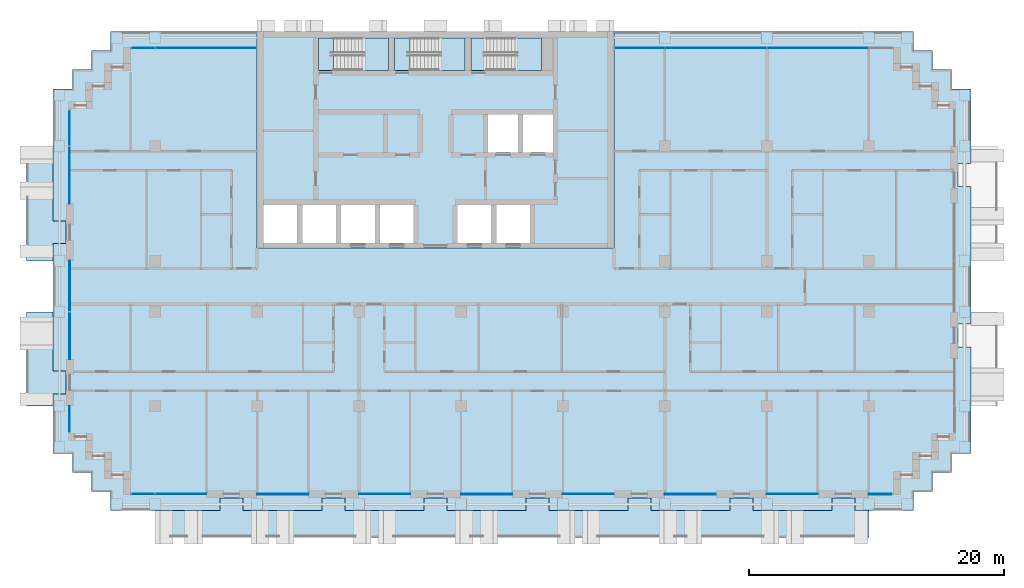
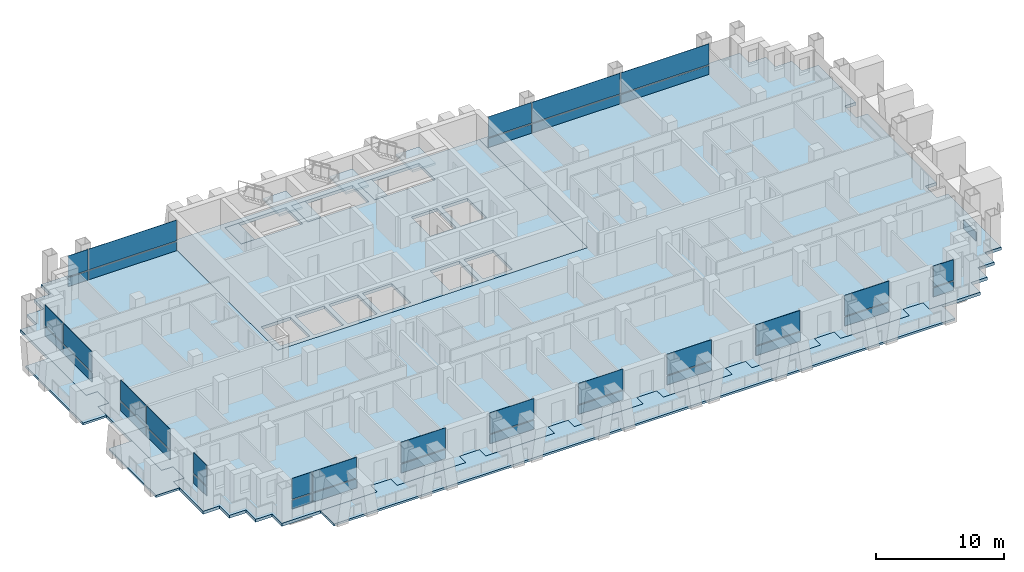
# One storey, part 7 of 19: 39 plates, 11 slabs, 17 elements without a shape of their own.
"""IFC4 building model written with IfcOpenShell, lengths in metres."""

from ifc_helpers import new_model, si_unit, direction, frame, origin, origin_2d, place, context, subcontext, project, spatial, polyline, rectangle, outline, extrude, material, layer, layer_set, type_object, element, aggregate, save


model = new_model("IFC4")

# Units and contexts
model_context = context("Model", 3, precision=1e-05, world=origin(), true_north=direction((0.0, 1.0)))
body_context = subcontext(model_context, "Body", "Model", "MODEL_VIEW")
ifc_project = project(units=[si_unit("LENGTHUNIT", "METRE"), si_unit("AREAUNIT", "SQUARE_METRE"), si_unit("VOLUMEUNIT", "CUBIC_METRE"), si_unit("PLANEANGLEUNIT", "RADIAN"), si_unit("MASSUNIT", "GRAM", prefix="KILO")], contexts=[model_context])

# Site, building, storey
site_placement = place(None, origin())
site = spatial("IfcSite", under=ifc_project, at=site_placement, CompositionType="ELEMENT")
building_placement = place(site_placement, origin())
building = spatial("IfcBuilding", under=site, at=building_placement, Name="Vidyagriha Tower", CompositionType="ELEMENT")
storey_placement = place(building_placement, frame((0.0, 0.0, 99.89990234375)))
storey = spatial("IfcBuildingStorey", under=building, at=storey_placement, Name="L26", CompositionType="ELEMENT", Elevation=99.89990234375)

# Curtain wall, plate
ifc_material_1 = material(Name="Aluminium and glass curtain wall", Category="aluminium")
curtain_wall_type = type_object("IfcCurtainWallType", Name="Dwelling skin unitised curtain wall", PredefinedType="USERDEFINED", material=ifc_material_1)
curtain_wall_1_placement = place(storey_placement, origin())
curtain_wall_1 = element("IfcCurtainWall", 1, at=curtain_wall_1_placement, inside=storey, type_object=curtain_wall_type, Name="CW1 dwelling skin", ObjectType="UNITISED", PredefinedType="USERDEFINED")
ifc_material_2 = material(Name="Glass dark ceramic-fritted spandrel", Category="glass")
ifc_layer_1 = layer(ifc_material_2, 0.0400390625)
ifc_layer_set_1 = layer_set([ifc_layer_1], Name="Glass dark ceramic-fritted spandrel")
plate_type_1 = type_object("IfcPlateType", Name="Ceramic-fritted spandrel panel", PredefinedType="CURTAIN_PANEL", material=ifc_layer_set_1)
plate_1_placement = place(storey_placement, frame((22.0, 18.699951171875, 0.0), z_axis=(0.0, 0.0, 1.0), x_axis=(-1.0, 0.0, 0.0)))
plate_1 = element("IfcPlate", 2, at=plate_1_placement, type_object=plate_type_1, Name="CW1 panel 3.1", PredefinedType="CURTAIN_PANEL", context=body_context, shape_type="SweptSolid", body=[
    extrude(rectangle(XDim=7.929931640625, YDim=0.0400390625, at=origin_2d()), origin(), (0.0, 0.0, 1.0), 0.85009765625),
])

curtain_wall_2_placement = place(storey_placement, origin())
curtain_wall_2 = element("IfcCurtainWall", 3, at=curtain_wall_2_placement, inside=storey, type_object=curtain_wall_type, Name="CW1 dwelling skin", ObjectType="UNITISED", PredefinedType="USERDEFINED")
plate_2_placement = place(storey_placement, frame((-18.017578125, 18.699951171875, 0.0), z_axis=(0.0, 0.0, 1.0), x_axis=(-1.0, 0.0, 0.0)))
plate_2 = element("IfcPlate", 4, at=plate_2_placement, type_object=plate_type_1, Name="CW1 panel 1.1", PredefinedType="CURTAIN_PANEL", context=body_context, shape_type="SweptSolid", body=[
    extrude(rectangle(XDim=7.89501953125, YDim=0.0400390625, at=origin_2d()), origin(), (0.0, 0.0, 1.0), 0.85009765625),
])

# Curtain wall, plates
curtain_wall_3_placement = place(storey_placement, origin())
curtain_wall_3 = element("IfcCurtainWall", 5, at=curtain_wall_3_placement, inside=storey, type_object=curtain_wall_type, Name="CW1 dwelling skin", ObjectType="UNITISED", PredefinedType="USERDEFINED")
plate_3_placement = place(storey_placement, frame((-28.699951171875, 12.4326171875, 0.0), z_axis=(0.0, 0.0, 1.0), x_axis=(0.0, -1.0, 0.0)))
plate_3 = element("IfcPlate", 6, at=plate_3_placement, type_object=plate_type_1, Name="CW1 panel 1.1", PredefinedType="CURTAIN_PANEL", context=body_context, shape_type="SweptSolid", body=[
    extrude(rectangle(XDim=2.794921875, YDim=0.0400390625, at=origin_2d()), origin(), (0.0, 0.0, 1.0), 0.85009765625),
])
plate_4_placement = place(storey_placement, frame((-28.699951171875, 8.732421875, 0.0), z_axis=(0.0, 0.0, 1.0), x_axis=(0.0, -1.0, 0.0)))
plate_4 = element("IfcPlate", 7, at=plate_4_placement, type_object=plate_type_1, Name="CW1 panel 2.1", PredefinedType="CURTAIN_PANEL", context=body_context, shape_type="SweptSolid", body=[
    extrude(rectangle(XDim=4.465087890625, YDim=0.0400390625, at=origin_2d()), origin(), (0.0, 0.0, 1.0), 0.85009765625),
])

# Curtain wall, plate
curtain_wall_4_placement = place(storey_placement, origin())
curtain_wall_4 = element("IfcCurtainWall", 8, at=curtain_wall_4_placement, inside=storey, type_object=curtain_wall_type, Name="CW1 dwelling skin", ObjectType="UNITISED", PredefinedType="USERDEFINED")
plate_5_placement = place(storey_placement, frame((-28.699951171875, -10.4150390625, 0.0), z_axis=(0.0, 0.0, 1.0), x_axis=(0.0, -1.0, 0.0)))
plate_5 = element("IfcPlate", 9, at=plate_5_placement, type_object=plate_type_1, Name="CW1 panel 1.1", PredefinedType="CURTAIN_PANEL", context=body_context, shape_type="SweptSolid", body=[
    extrude(rectangle(XDim=2.030029296875, YDim=0.0400390625, at=origin_2d()), origin(), (0.0, 0.0, 1.0), 0.85009765625),
])

# Curtain wall, plates
curtain_wall_5_placement = place(storey_placement, origin())
curtain_wall_5 = element("IfcCurtainWall", 10, at=curtain_wall_5_placement, inside=storey, type_object=curtain_wall_type, Name="CW1 dwelling skin", ObjectType="UNITISED", PredefinedType="USERDEFINED")
plate_6_placement = place(storey_placement, frame((-22.9326171875, -16.300048828125, 0.0)))
plate_6 = element("IfcPlate", 11, at=plate_6_placement, type_object=plate_type_1, Name="CW1 panel 1.1", PredefinedType="CURTAIN_PANEL", context=body_context, shape_type="SweptSolid", body=[
    extrude(rectangle(XDim=1.794921875, YDim=0.0400390625, at=origin_2d()), origin(), (0.0, 0.0, 1.0), 0.85009765625),
])
plate_7_placement = place(storey_placement, frame((-19.982421875, -16.300048828125, 0.0)))
plate_7 = element("IfcPlate", 12, at=plate_7_placement, type_object=plate_type_1, Name="CW1 panel 2.1", PredefinedType="CURTAIN_PANEL", context=body_context, shape_type="SweptSolid", body=[
    extrude(rectangle(XDim=3.965087890625, YDim=0.0400390625, at=origin_2d()), origin(), (0.0, 0.0, 1.0), 0.85009765625),
])

# Curtain wall, plate
curtain_wall_6_placement = place(storey_placement, origin())
curtain_wall_6 = element("IfcCurtainWall", 13, at=curtain_wall_6_placement, inside=storey, type_object=curtain_wall_type, Name="CW1 dwelling skin", ObjectType="UNITISED", PredefinedType="USERDEFINED")
plate_8_placement = place(storey_placement, frame((-4.0, -16.300048828125, 0.0)))
plate_8 = element("IfcPlate", 14, at=plate_8_placement, type_object=plate_type_1, Name="CW1 panel 1.1", PredefinedType="CURTAIN_PANEL", context=body_context, shape_type="SweptSolid", body=[
    extrude(rectangle(XDim=4.0, YDim=0.0400390625, at=origin_2d()), origin(), (0.0, 0.0, 1.0), 0.85009765625),
])

curtain_wall_7_placement = place(storey_placement, origin())
curtain_wall_7 = element("IfcCurtainWall", 15, at=curtain_wall_7_placement, inside=storey, type_object=curtain_wall_type, Name="CW1 dwelling skin", ObjectType="UNITISED", PredefinedType="USERDEFINED")
plate_9_placement = place(storey_placement, frame((12.0, -16.300048828125, 0.0)))
plate_9 = element("IfcPlate", 16, at=plate_9_placement, type_object=plate_type_1, Name="CW1 panel 1.1", PredefinedType="CURTAIN_PANEL", context=body_context, shape_type="SweptSolid", body=[
    extrude(rectangle(XDim=4.0, YDim=0.0400390625, at=origin_2d()), origin(), (0.0, 0.0, 1.0), 0.85009765625),
])

curtain_wall_8_placement = place(storey_placement, origin())
curtain_wall_8 = element("IfcCurtainWall", 17, at=curtain_wall_8_placement, inside=storey, type_object=curtain_wall_type, Name="CW1 dwelling skin", ObjectType="UNITISED", PredefinedType="USERDEFINED")
plate_10_placement = place(storey_placement, frame((28.0, -16.300048828125, 0.0)))
plate_10 = element("IfcPlate", 18, at=plate_10_placement, type_object=plate_type_1, Name="CW1 panel 1.1", PredefinedType="CURTAIN_PANEL", context=body_context, shape_type="SweptSolid", body=[
    extrude(rectangle(XDim=4.0, YDim=0.0400390625, at=origin_2d()), origin(), (0.0, 0.0, 1.0), 0.85009765625),
])

curtain_wall_9_placement = place(storey_placement, origin())
curtain_wall_9 = element("IfcCurtainWall", 19, at=curtain_wall_9_placement, inside=storey, type_object=curtain_wall_type, Name="CW1 dwelling skin", ObjectType="UNITISED", PredefinedType="USERDEFINED")
plate_11_placement = place(storey_placement, frame((40.699951171875, -10.4326171875, 0.0), z_axis=(0.0, 0.0, 1.0), x_axis=(0.0, 1.0, 0.0)))
plate_11 = element("IfcPlate", 20, at=plate_11_placement, type_object=plate_type_1, Name="CW1 panel 1.1", PredefinedType="CURTAIN_PANEL", context=body_context, shape_type="SweptSolid", body=[
    extrude(rectangle(XDim=1.9951171875, YDim=0.0400390625, at=origin_2d()), origin(), (0.0, 0.0, 1.0), 0.85009765625),
])
aggregate(curtain_wall_9, [plate_11])

# Slab
ifc_material_3 = material(Name="Concrete C60/75", Category="concrete")
ifc_layer_2 = layer(ifc_material_3, 0.280029296875)
ifc_layer_set_2 = layer_set([ifc_layer_2], Name="Concrete C60/75")
slab_type_1 = type_object("IfcSlabType", Name="Core floor slab 280 mm", PredefinedType="FLOOR", material=ifc_layer_set_2)
slab_1_placement = place(storey_placement, frame((0.0, 0.0, -0.27978515625)))
element("IfcSlab", 21, at=slab_1_placement, inside=storey, type_object=slab_type_1, Name="L26 core floor 1", PredefinedType="FLOOR", context=body_context, shape_type="SweptSolid", body=[
    extrude(outline(polyline([(-14.0, 3.0), (-14.0, 20.0), (14.0, 20.0), (14.0, 3.0), (-14.0, 3.0)]), holes=[polyline([(9.199951171875, 13.5), (6.86669921875, 13.5), (6.86669921875, 10.5), (9.199951171875, 10.5), (9.199951171875, 13.5)]), polyline([(4.0, 19.5), (2.800048828125, 19.5), (2.800048828125, 16.949951171875), (4.0, 16.949951171875), (8.300048828125, 16.949951171875), (8.300048828125, 19.5), (4.0, 19.5)]), polyline([(7.4111328125, 6.39990234375), (4.7666015625, 6.39990234375), (4.7666015625, 3.39990234375), (7.4111328125, 3.39990234375), (7.4111328125, 6.39990234375)]), polyline([(6.466796875, 13.5), (4.13330078125, 13.5), (4.13330078125, 10.5), (6.466796875, 10.5), (6.466796875, 13.5)]), polyline([(1.72216796875, 6.39990234375), (1.72216796875, 3.39990234375), (4.36669921875, 3.39990234375), (4.36669921875, 6.39990234375), (1.72216796875, 6.39990234375)]), polyline([(-2.0, 16.949951171875), (2.300048828125, 16.949951171875), (2.300048828125, 19.5), (-2.0, 19.5), (-3.199951171875, 19.5), (-3.199951171875, 16.949951171875), (-2.0, 16.949951171875)]), polyline([(-1.72216796875, 6.39990234375), (-4.36669921875, 6.39990234375), (-4.36669921875, 3.39990234375), (-1.72216796875, 3.39990234375), (-1.72216796875, 6.39990234375)]), polyline([(-8.0, 19.5), (-9.199951171875, 19.5), (-9.199951171875, 16.949951171875), (-8.0, 16.949951171875), (-3.699951171875, 16.949951171875), (-3.699951171875, 19.5), (-8.0, 19.5)]), polyline([(-4.7666015625, 6.39990234375), (-7.4111328125, 6.39990234375), (-7.4111328125, 3.39990234375), (-4.7666015625, 3.39990234375), (-4.7666015625, 6.39990234375)]), polyline([(-7.81103515625, 6.39990234375), (-10.45556640625, 6.39990234375), (-10.45556640625, 3.39990234375), (-7.81103515625, 3.39990234375), (-7.81103515625, 6.39990234375)]), polyline([(-13.5, 6.39990234375), (-13.5, 3.39990234375), (-10.855712890625, 3.39990234375), (-10.855712890625, 6.39990234375), (-13.5, 6.39990234375)])]), origin(), (0.0, 0.0, 1.0), 0.27978515625),
])

# Plate
ifc_material_4 = material(Name="Glass dark ceramic-fritted", Category="glass")
ifc_layer_3 = layer(ifc_material_4, 0.028076171875)
ifc_layer_set_3 = layer_set([ifc_layer_3], Name="Glass dark ceramic-fritted")
plate_type_2 = type_object("IfcPlateType", Name="Dark ceramic-fritted vision glass panel", PredefinedType="CURTAIN_PANEL", material=ifc_layer_set_3)
plate_12_placement = place(storey_placement, frame((30.0, 18.699951171875, 0.9501953125), z_axis=(0.0, 0.0, 1.0), x_axis=(-1.0, 0.0, 0.0)))
plate_12 = element("IfcPlate", 22, at=plate_12_placement, type_object=plate_type_2, Name="CW1 panel 2.2", PredefinedType="CURTAIN_PANEL", context=body_context, shape_type="SweptSolid", body=[
    extrude(rectangle(XDim=7.929931640625, YDim=0.028076171875, at=origin_2d()), origin(), (0.0, 0.0, 1.0), 1.969970703125),
])

plate_13_placement = place(storey_placement, frame((22.0, 18.699951171875, 0.9501953125), z_axis=(0.0, 0.0, 1.0), x_axis=(-1.0, 0.0, 0.0)))
plate_13 = element("IfcPlate", 23, at=plate_13_placement, type_object=plate_type_2, Name="CW1 panel 3.2", PredefinedType="CURTAIN_PANEL", context=body_context, shape_type="SweptSolid", body=[
    extrude(rectangle(XDim=7.929931640625, YDim=0.028076171875, at=origin_2d()), origin(), (0.0, 0.0, 1.0), 1.969970703125),
])

plate_14_placement = place(storey_placement, frame((16.017578125, 18.699951171875, 0.9501953125), z_axis=(0.0, 0.0, 1.0), x_axis=(-1.0, 0.0, 0.0)))
plate_14 = element("IfcPlate", 24, at=plate_14_placement, type_object=plate_type_2, Name="CW1 panel 4.2", PredefinedType="CURTAIN_PANEL", context=body_context, shape_type="SweptSolid", body=[
    extrude(rectangle(XDim=3.89501953125, YDim=0.028076171875, at=origin_2d()), origin(), (0.0, 0.0, 1.0), 1.969970703125),
])

plate_15_placement = place(storey_placement, frame((-18.017578125, 18.699951171875, 0.9501953125), z_axis=(0.0, 0.0, 1.0), x_axis=(-1.0, 0.0, 0.0)))
plate_15 = element("IfcPlate", 25, at=plate_15_placement, type_object=plate_type_2, Name="CW1 panel 1.2", PredefinedType="CURTAIN_PANEL", context=body_context, shape_type="SweptSolid", body=[
    extrude(rectangle(XDim=7.89501953125, YDim=0.028076171875, at=origin_2d()), origin(), (0.0, 0.0, 1.0), 1.969970703125),
])

plate_16_placement = place(storey_placement, frame((-22.9326171875, 18.699951171875, 0.9501953125), z_axis=(0.0, 0.0, 1.0), x_axis=(-1.0, 0.0, 0.0)))
plate_16 = element("IfcPlate", 26, at=plate_16_placement, type_object=plate_type_2, Name="CW1 panel 2.2", PredefinedType="CURTAIN_PANEL", context=body_context, shape_type="SweptSolid", body=[
    extrude(rectangle(XDim=1.794921875, YDim=0.028076171875, at=origin_2d()), origin(), (0.0, 0.0, 1.0), 1.969970703125),
])

plate_17_placement = place(storey_placement, frame((-28.699951171875, 12.4326171875, 0.9501953125), z_axis=(0.0, 0.0, 1.0), x_axis=(0.0, -1.0, 0.0)))
plate_17 = element("IfcPlate", 27, at=plate_17_placement, type_object=plate_type_2, Name="CW1 panel 1.2", PredefinedType="CURTAIN_PANEL", context=body_context, shape_type="SweptSolid", body=[
    extrude(rectangle(XDim=2.794921875, YDim=0.028076171875, at=origin_2d()), origin(), (0.0, 0.0, 1.0), 1.969970703125),
])

plate_18_placement = place(storey_placement, frame((-28.699951171875, 8.732421875, 0.9501953125), z_axis=(0.0, 0.0, 1.0), x_axis=(0.0, -1.0, 0.0)))
plate_18 = element("IfcPlate", 28, at=plate_18_placement, type_object=plate_type_2, Name="CW1 panel 2.2", PredefinedType="CURTAIN_PANEL", context=body_context, shape_type="SweptSolid", body=[
    extrude(rectangle(XDim=4.465087890625, YDim=0.028076171875, at=origin_2d()), origin(), (0.0, 0.0, 1.0), 1.969970703125),
])

aggregate(curtain_wall_3, [plate_3, plate_17, plate_4, plate_18])

# Curtain wall, plates
curtain_wall_10_placement = place(storey_placement, origin())
curtain_wall_10 = element("IfcCurtainWall", 29, at=curtain_wall_10_placement, inside=storey, type_object=curtain_wall_type, Name="CW1 dwelling skin", ObjectType="UNITISED", PredefinedType="USERDEFINED")
plate_19_placement = place(storey_placement, frame((-28.699951171875, 0.017578125, 0.9501953125), z_axis=(0.0, 0.0, 1.0), x_axis=(0.0, -1.0, 0.0)))
plate_19 = element("IfcPlate", 30, at=plate_19_placement, type_object=plate_type_2, Name="CW1 panel 1.2", PredefinedType="CURTAIN_PANEL", context=body_context, shape_type="SweptSolid", body=[
    extrude(rectangle(XDim=3.965087890625, YDim=0.028076171875, at=origin_2d()), origin(), (0.0, 0.0, 1.0), 1.969970703125),
])
plate_20_placement = place(storey_placement, frame((-28.699951171875, -3.867431640625, 0.9501953125), z_axis=(0.0, 0.0, 1.0), x_axis=(0.0, -1.0, 0.0)))
plate_20 = element("IfcPlate", 31, at=plate_20_placement, type_object=plate_type_2, Name="CW1 panel 2.2", PredefinedType="CURTAIN_PANEL", context=body_context, shape_type="SweptSolid", body=[
    extrude(rectangle(XDim=3.6650390625, YDim=0.028076171875, at=origin_2d()), origin(), (0.0, 0.0, 1.0), 1.969970703125),
])

# Plate
plate_21_placement = place(storey_placement, frame((-28.699951171875, -10.4150390625, 0.9501953125), z_axis=(0.0, 0.0, 1.0), x_axis=(0.0, -1.0, 0.0)))
plate_21 = element("IfcPlate", 32, at=plate_21_placement, type_object=plate_type_2, Name="CW1 panel 1.2", PredefinedType="CURTAIN_PANEL", context=body_context, shape_type="SweptSolid", body=[
    extrude(rectangle(XDim=2.030029296875, YDim=0.028076171875, at=origin_2d()), origin(), (0.0, 0.0, 1.0), 1.969970703125),
])

aggregate(curtain_wall_4, [plate_5, plate_21])

plate_22_placement = place(storey_placement, frame((-22.9326171875, -16.300048828125, 0.9501953125)))
plate_22 = element("IfcPlate", 33, at=plate_22_placement, type_object=plate_type_2, Name="CW1 panel 1.2", PredefinedType="CURTAIN_PANEL", context=body_context, shape_type="SweptSolid", body=[
    extrude(rectangle(XDim=1.794921875, YDim=0.028076171875, at=origin_2d()), origin(), (0.0, 0.0, 1.0), 1.969970703125),
])

plate_23_placement = place(storey_placement, frame((-19.982421875, -16.300048828125, 0.9501953125)))
plate_23 = element("IfcPlate", 34, at=plate_23_placement, type_object=plate_type_2, Name="CW1 panel 2.2", PredefinedType="CURTAIN_PANEL", context=body_context, shape_type="SweptSolid", body=[
    extrude(rectangle(XDim=3.965087890625, YDim=0.028076171875, at=origin_2d()), origin(), (0.0, 0.0, 1.0), 1.969970703125),
])

aggregate(curtain_wall_5, [plate_6, plate_22, plate_7, plate_23])

# Curtain wall, plate
curtain_wall_11_placement = place(storey_placement, origin())
curtain_wall_11 = element("IfcCurtainWall", 35, at=curtain_wall_11_placement, inside=storey, type_object=curtain_wall_type, Name="CW1 dwelling skin", ObjectType="UNITISED", PredefinedType="USERDEFINED")
plate_24_placement = place(storey_placement, frame((-12.0, -16.300048828125, 0.9501953125)))
plate_24 = element("IfcPlate", 36, at=plate_24_placement, type_object=plate_type_2, Name="CW1 panel 1.2", PredefinedType="CURTAIN_PANEL", context=body_context, shape_type="SweptSolid", body=[
    extrude(rectangle(XDim=4.0, YDim=0.028076171875, at=origin_2d()), origin(), (0.0, 0.0, 1.0), 1.969970703125),
])

# Plate
plate_25_placement = place(storey_placement, frame((-4.0, -16.300048828125, 0.9501953125)))
plate_25 = element("IfcPlate", 37, at=plate_25_placement, type_object=plate_type_2, Name="CW1 panel 1.2", PredefinedType="CURTAIN_PANEL", context=body_context, shape_type="SweptSolid", body=[
    extrude(rectangle(XDim=4.0, YDim=0.028076171875, at=origin_2d()), origin(), (0.0, 0.0, 1.0), 1.969970703125),
])

aggregate(curtain_wall_6, [plate_8, plate_25])

# Curtain wall, plate
curtain_wall_12_placement = place(storey_placement, origin())
curtain_wall_12 = element("IfcCurtainWall", 38, at=curtain_wall_12_placement, inside=storey, type_object=curtain_wall_type, Name="CW1 dwelling skin", ObjectType="UNITISED", PredefinedType="USERDEFINED")
plate_26_placement = place(storey_placement, frame((4.0, -16.300048828125, 0.9501953125)))
plate_26 = element("IfcPlate", 39, at=plate_26_placement, type_object=plate_type_2, Name="CW1 panel 1.2", PredefinedType="CURTAIN_PANEL", context=body_context, shape_type="SweptSolid", body=[
    extrude(rectangle(XDim=4.0, YDim=0.028076171875, at=origin_2d()), origin(), (0.0, 0.0, 1.0), 1.969970703125),
])

# Plate
plate_27_placement = place(storey_placement, frame((12.0, -16.300048828125, 0.9501953125)))
plate_27 = element("IfcPlate", 40, at=plate_27_placement, type_object=plate_type_2, Name="CW1 panel 1.2", PredefinedType="CURTAIN_PANEL", context=body_context, shape_type="SweptSolid", body=[
    extrude(rectangle(XDim=4.0, YDim=0.028076171875, at=origin_2d()), origin(), (0.0, 0.0, 1.0), 1.969970703125),
])

aggregate(curtain_wall_7, [plate_9, plate_27])

# Curtain wall, plate
curtain_wall_13_placement = place(storey_placement, origin())
curtain_wall_13 = element("IfcCurtainWall", 41, at=curtain_wall_13_placement, inside=storey, type_object=curtain_wall_type, Name="CW1 dwelling skin", ObjectType="UNITISED", PredefinedType="USERDEFINED")
plate_28_placement = place(storey_placement, frame((20.0, -16.300048828125, 0.9501953125)))
plate_28 = element("IfcPlate", 42, at=plate_28_placement, type_object=plate_type_2, Name="CW1 panel 1.2", PredefinedType="CURTAIN_PANEL", context=body_context, shape_type="SweptSolid", body=[
    extrude(rectangle(XDim=4.0, YDim=0.028076171875, at=origin_2d()), origin(), (0.0, 0.0, 1.0), 1.969970703125),
])

# Plate
plate_29_placement = place(storey_placement, frame((28.0, -16.300048828125, 0.9501953125)))
plate_29 = element("IfcPlate", 43, at=plate_29_placement, type_object=plate_type_2, Name="CW1 panel 1.2", PredefinedType="CURTAIN_PANEL", context=body_context, shape_type="SweptSolid", body=[
    extrude(rectangle(XDim=4.0, YDim=0.028076171875, at=origin_2d()), origin(), (0.0, 0.0, 1.0), 1.969970703125),
])

aggregate(curtain_wall_8, [plate_10, plate_29])

# Curtain wall, plate
curtain_wall_14_placement = place(storey_placement, origin())
curtain_wall_14 = element("IfcCurtainWall", 44, at=curtain_wall_14_placement, inside=storey, type_object=curtain_wall_type, Name="CW1 dwelling skin", ObjectType="UNITISED", PredefinedType="USERDEFINED")
plate_30_placement = place(storey_placement, frame((34.9150390625, -16.300048828125, 0.9501953125)))
plate_30 = element("IfcPlate", 45, at=plate_30_placement, type_object=plate_type_2, Name="CW1 panel 1.2", PredefinedType="CURTAIN_PANEL", context=body_context, shape_type="SweptSolid", body=[
    extrude(rectangle(XDim=1.830078125, YDim=0.028076171875, at=origin_2d()), origin(), (0.0, 0.0, 1.0), 1.969970703125),
])

# Slabs
ifc_material_5 = material(Name="Concrete C40/50", Category="concrete")
ifc_layer_4 = layer(ifc_material_5, 0.280029296875)
ifc_layer_set_4 = layer_set([ifc_layer_4], Name="Concrete C40/50")
slab_type_2 = type_object("IfcSlabType", Name="Exit stair floor landing 280 mm", PredefinedType="LANDING", material=ifc_layer_set_4)
slab_2_placement = place(storey_placement, frame((0.0, 0.0, -0.27978515625)))
element("IfcSlab", 46, at=slab_2_placement, inside=storey, type_object=slab_type_2, Name="ST1 floor landing L26", PredefinedType="LANDING", context=body_context, shape_type="SweptSolid", body=[
    extrude(outline(polyline([(-9.199951171875, 16.949951171875), (-8.0, 16.949951171875), (-8.0, 19.5), (-9.199951171875, 19.5), (-9.199951171875, 16.949951171875)])), origin(), (0.0, 0.0, 1.0), 0.27978515625),
])
slab_3_placement = place(storey_placement, frame((0.0, 0.0, -0.27978515625)))
element("IfcSlab", 47, at=slab_3_placement, inside=storey, type_object=slab_type_2, Name="ST2 floor landing L26", PredefinedType="LANDING", context=body_context, shape_type="SweptSolid", body=[
    extrude(outline(polyline([(-3.199951171875, 16.949951171875), (-2.0, 16.949951171875), (-2.0, 19.5), (-3.199951171875, 19.5), (-3.199951171875, 16.949951171875)])), origin(), (0.0, 0.0, 1.0), 0.27978515625),
])
slab_4_placement = place(storey_placement, frame((0.0, 0.0, -0.27978515625)))
element("IfcSlab", 48, at=slab_4_placement, inside=storey, type_object=slab_type_2, Name="ST3 floor landing L26", PredefinedType="LANDING", context=body_context, shape_type="SweptSolid", body=[
    extrude(outline(polyline([(2.800048828125, 16.949951171875), (4.0, 16.949951171875), (4.0, 19.5), (2.800048828125, 19.5), (2.800048828125, 16.949951171875)])), origin(), (0.0, 0.0, 1.0), 0.27978515625),
])

# Stair, slab
ifc_material_6 = material(Name="Concrete C40/50", Category="concrete")
stair_type = type_object("IfcStairType", Name="Exit stair, half-turn, precast flights", PredefinedType="HALF_TURN_STAIR", material=ifc_material_6)
stair_1_placement = place(storey_placement, origin())
stair_1 = element("IfcStair", 49, at=stair_1_placement, inside=storey, type_object=stair_type, Name="L26 Exit Stair ST1", PredefinedType="HALF_TURN_STAIR")
ifc_material_7 = material(Name="Concrete C40/50", Category="concrete")
ifc_layer_5 = layer(ifc_material_7, 0.199951171875)
ifc_layer_set_5 = layer_set([ifc_layer_5], Name="Concrete C40/50")
slab_type_3 = type_object("IfcSlabType", Name="Exit stair landing 200 mm", PredefinedType="LANDING", material=ifc_layer_set_5)
slab_5_placement = place(storey_placement, frame((0.0, 0.0, 1.400146484375)))
slab_5 = element("IfcSlab", 50, at=slab_5_placement, type_object=slab_type_3, Name="ST1 landing 1", PredefinedType="LANDING", context=body_context, shape_type="SweptSolid", body=[
    extrude(outline(polyline([(-5.760009765625, 16.949951171875), (-3.699951171875, 16.949951171875), (-3.699951171875, 19.5), (-5.760009765625, 19.5), (-5.760009765625, 16.949951171875)])), origin(), (0.0, 0.0, 1.0), 0.199951171875),
])
aggregate(stair_1, [slab_5])

stair_2_placement = place(storey_placement, origin())
stair_2 = element("IfcStair", 51, at=stair_2_placement, inside=storey, type_object=stair_type, Name="L26 Exit Stair ST2", PredefinedType="HALF_TURN_STAIR")
slab_6_placement = place(storey_placement, frame((0.0, 0.0, 1.400146484375)))
slab_6 = element("IfcSlab", 52, at=slab_6_placement, type_object=slab_type_3, Name="ST2 landing 1", PredefinedType="LANDING", context=body_context, shape_type="SweptSolid", body=[
    extrude(outline(polyline([(0.239990234375, 16.949951171875), (2.300048828125, 16.949951171875), (2.300048828125, 19.5), (0.239990234375, 19.5), (0.239990234375, 16.949951171875)])), origin(), (0.0, 0.0, 1.0), 0.199951171875),
])
aggregate(stair_2, [slab_6])

stair_3_placement = place(storey_placement, origin())
stair_3 = element("IfcStair", 53, at=stair_3_placement, inside=storey, type_object=stair_type, Name="L26 Exit Stair ST3", PredefinedType="HALF_TURN_STAIR")
slab_7_placement = place(storey_placement, frame((0.0, 0.0, 1.400146484375)))
slab_7 = element("IfcSlab", 54, at=slab_7_placement, type_object=slab_type_3, Name="ST3 landing 1", PredefinedType="LANDING", context=body_context, shape_type="SweptSolid", body=[
    extrude(outline(polyline([(6.239990234375, 16.949951171875), (8.300048828125, 16.949951171875), (8.300048828125, 19.5), (6.239990234375, 19.5), (6.239990234375, 16.949951171875)])), origin(), (0.0, 0.0, 1.0), 0.199951171875),
])
aggregate(stair_3, [slab_7])

# Plate
ifc_material_8 = material(Name="Aluminium black anodised", Category="aluminium")
ifc_layer_6 = layer(ifc_material_8, 0.06005859375)
ifc_layer_set_6 = layer_set([ifc_layer_6], Name="Aluminium black anodised")
plate_type_3 = type_object("IfcPlateType", Name="Operable black-metal vent panel", PredefinedType="CURTAIN_PANEL", material=ifc_layer_set_6)
plate_31_placement = place(storey_placement, frame((30.0, 18.699951171875, 0.0), z_axis=(0.0, 0.0, 1.0), x_axis=(-1.0, 0.0, 0.0)))
plate_31 = element("IfcPlate", 55, at=plate_31_placement, type_object=plate_type_3, Name="CW1 panel 2.1", PredefinedType="CURTAIN_PANEL", context=body_context, shape_type="SweptSolid", body=[
    extrude(rectangle(XDim=7.929931640625, YDim=0.06005859375, at=origin_2d()), origin(), (0.0, 0.0, 1.0), 0.85009765625),
])

plate_32_placement = place(storey_placement, frame((16.017578125, 18.699951171875, 0.0), z_axis=(0.0, 0.0, 1.0), x_axis=(-1.0, 0.0, 0.0)))
plate_32 = element("IfcPlate", 56, at=plate_32_placement, type_object=plate_type_3, Name="CW1 panel 4.1", PredefinedType="CURTAIN_PANEL", context=body_context, shape_type="SweptSolid", body=[
    extrude(rectangle(XDim=3.89501953125, YDim=0.06005859375, at=origin_2d()), origin(), (0.0, 0.0, 1.0), 0.85009765625),
])

aggregate(curtain_wall_1, [plate_31, plate_12, plate_1, plate_13, plate_32, plate_14])

plate_33_placement = place(storey_placement, frame((-22.9326171875, 18.699951171875, 0.0), z_axis=(0.0, 0.0, 1.0), x_axis=(-1.0, 0.0, 0.0)))
plate_33 = element("IfcPlate", 57, at=plate_33_placement, type_object=plate_type_3, Name="CW1 panel 2.1", PredefinedType="CURTAIN_PANEL", context=body_context, shape_type="SweptSolid", body=[
    extrude(rectangle(XDim=1.794921875, YDim=0.06005859375, at=origin_2d()), origin(), (0.0, 0.0, 1.0), 0.85009765625),
])

aggregate(curtain_wall_2, [plate_2, plate_15, plate_33, plate_16])

plate_34_placement = place(storey_placement, frame((-28.699951171875, 0.017578125, 0.0), z_axis=(0.0, 0.0, 1.0), x_axis=(0.0, -1.0, 0.0)))
plate_34 = element("IfcPlate", 58, at=plate_34_placement, type_object=plate_type_3, Name="CW1 panel 1.1", PredefinedType="CURTAIN_PANEL", context=body_context, shape_type="SweptSolid", body=[
    extrude(rectangle(XDim=3.965087890625, YDim=0.06005859375, at=origin_2d()), origin(), (0.0, 0.0, 1.0), 0.85009765625),
])

plate_35_placement = place(storey_placement, frame((-28.699951171875, -3.867431640625, 0.0), z_axis=(0.0, 0.0, 1.0), x_axis=(0.0, -1.0, 0.0)))
plate_35 = element("IfcPlate", 59, at=plate_35_placement, type_object=plate_type_3, Name="CW1 panel 2.1", PredefinedType="CURTAIN_PANEL", context=body_context, shape_type="SweptSolid", body=[
    extrude(rectangle(XDim=3.6650390625, YDim=0.06005859375, at=origin_2d()), origin(), (0.0, 0.0, 1.0), 0.85009765625),
])

aggregate(curtain_wall_10, [plate_34, plate_19, plate_35, plate_20])

plate_36_placement = place(storey_placement, frame((-12.0, -16.300048828125, 0.0)))
plate_36 = element("IfcPlate", 60, at=plate_36_placement, type_object=plate_type_3, Name="CW1 panel 1.1", PredefinedType="CURTAIN_PANEL", context=body_context, shape_type="SweptSolid", body=[
    extrude(rectangle(XDim=4.0, YDim=0.06005859375, at=origin_2d()), origin(), (0.0, 0.0, 1.0), 0.85009765625),
])

aggregate(curtain_wall_11, [plate_36, plate_24])

plate_37_placement = place(storey_placement, frame((4.0, -16.300048828125, 0.0)))
plate_37 = element("IfcPlate", 61, at=plate_37_placement, type_object=plate_type_3, Name="CW1 panel 1.1", PredefinedType="CURTAIN_PANEL", context=body_context, shape_type="SweptSolid", body=[
    extrude(rectangle(XDim=4.0, YDim=0.06005859375, at=origin_2d()), origin(), (0.0, 0.0, 1.0), 0.85009765625),
])

aggregate(curtain_wall_12, [plate_37, plate_26])

plate_38_placement = place(storey_placement, frame((20.0, -16.300048828125, 0.0)))
plate_38 = element("IfcPlate", 62, at=plate_38_placement, type_object=plate_type_3, Name="CW1 panel 1.1", PredefinedType="CURTAIN_PANEL", context=body_context, shape_type="SweptSolid", body=[
    extrude(rectangle(XDim=4.0, YDim=0.06005859375, at=origin_2d()), origin(), (0.0, 0.0, 1.0), 0.85009765625),
])

aggregate(curtain_wall_13, [plate_38, plate_28])

plate_39_placement = place(storey_placement, frame((34.9150390625, -16.300048828125, 0.0)))
plate_39 = element("IfcPlate", 63, at=plate_39_placement, type_object=plate_type_3, Name="CW1 panel 1.1", PredefinedType="CURTAIN_PANEL", context=body_context, shape_type="SweptSolid", body=[
    extrude(rectangle(XDim=1.830078125, YDim=0.06005859375, at=origin_2d()), origin(), (0.0, 0.0, 1.0), 0.85009765625),
])

aggregate(curtain_wall_14, [plate_39, plate_30])

# Slabs
ifc_material_9 = material(Name="Concrete C50/60", Category="concrete")
ifc_layer_7 = layer(ifc_material_9, 0.280029296875)
ifc_layer_set_7 = layer_set([ifc_layer_7], Name="Concrete C50/60")
slab_type_4 = type_object("IfcSlabType", Name="Post-tensioned flat plate 280", PredefinedType="FLOOR", material=ifc_layer_set_7)
slab_8_placement = place(storey_placement, frame((0.0, 0.0, -0.27978515625)))
element("IfcSlab", 64, at=slab_8_placement, inside=storey, type_object=slab_type_4, Name="st-slab-L26-1", PredefinedType="FLOOR", context=body_context, shape_type="SweptSolid", body=[
    extrude(outline(polyline([(40.5, -14.60009765625), (39.0, -14.60009765625), (39.0, -16.10009765625), (37.5, -16.10009765625), (37.5, -17.60009765625), (32.89990234375, -17.60009765625), (32.89990234375, -16.60009765625), (31.10009765625, -16.60009765625), (31.10009765625, -17.60009765625), (24.89990234375, -17.60009765625), (24.89990234375, -16.60009765625), (23.10009765625, -16.60009765625), (23.10009765625, -17.60009765625), (16.89990234375, -17.60009765625), (16.89990234375, -16.60009765625), (15.10009765625, -16.60009765625), (15.10009765625, -17.60009765625), (8.89990234375, -17.60009765625), (8.89990234375, -16.60009765625), (7.10009765625, -16.60009765625), (7.10009765625, -17.60009765625), (0.89990234375, -17.60009765625), (0.89990234375, -16.60009765625), (-0.89990234375, -16.60009765625), (-0.89990234375, -17.60009765625), (-7.10009765625, -17.60009765625), (-7.10009765625, -16.60009765625), (-8.89990234375, -16.60009765625), (-8.89990234375, -17.60009765625), (-15.10009765625, -17.60009765625), (-15.10009765625, -16.60009765625), (-16.89990234375, -16.60009765625), (-16.89990234375, -17.60009765625), (-25.5, -17.60009765625), (-25.5, -16.10009765625), (-27.0, -16.10009765625), (-27.0, -14.60009765625), (-28.5, -14.60009765625), (-28.5, -13.10009765625), (-30.0, -13.10009765625), (-30.0, -8.449951171875), (-29.0, -8.449951171875), (-29.0, -6.64990234375), (-30.0, -6.64990234375), (-30.0, 3.35009765625), (-29.0, 3.35009765625), (-29.0, 5.14990234375), (-30.0, 5.14990234375), (-30.0, 15.5), (-28.5, 15.5), (-28.5, 17.0), (-27.0, 17.0), (-27.0, 18.5), (-25.5, 18.5), (-25.5, 20.0), (-14.0, 20.0), (-14.0, 3.0), (14.0, 3.0), (14.0, 20.0), (37.5, 20.0), (37.5, 18.5), (39.0, 18.5), (39.0, 17.0), (40.5, 17.0), (40.5, 15.5), (42.0, 15.5), (42.0, 9.64990234375), (41.0, 9.64990234375), (41.0, 7.85009765625), (42.0, 7.85009765625), (42.0, -2.949951171875), (41.0, -2.949951171875), (41.0, -4.75), (42.0, -4.75), (42.0, -13.10009765625), (40.5, -13.10009765625), (40.5, -14.60009765625)])), origin(), (0.0, 0.0, 1.0), 0.27978515625),
])
ifc_material_10 = material(Name="Precast concrete C40/50", Category="concrete")
ifc_layer_8 = layer(ifc_material_10, 0.199951171875)
ifc_layer_set_8 = layer_set([ifc_layer_8], Name="Precast concrete C40/50")
slab_type_5 = type_object("IfcSlabType", Name="Precast balcony slab 200", PredefinedType="USERDEFINED", material=ifc_layer_set_8)
slab_9_placement = place(storey_placement, frame((0.0, 0.0, -0.199951171875)))
element("IfcSlab", 65, at=slab_9_placement, inside=storey, type_object=slab_type_5, Name="Balcony slab L26 R16.1-1", ObjectType="BALCONY", PredefinedType="USERDEFINED", context=body_context, shape_type="SweptSolid", body=[
    extrude(outline(polyline([(-29.0, 3.35009765625), (-29.0, 5.14990234375), (-30.0, 5.14990234375), (-30.0, 11.0), (-32.10009765625, 11.0), (-32.10009765625, 2.0), (-30.0, 2.0), (-30.0, 3.35009765625), (-29.0, 3.35009765625)])), origin(), (0.0, 0.0, 1.0), 0.199951171875),
])
slab_10_placement = place(storey_placement, frame((0.0, 0.0, -0.199951171875)))
element("IfcSlab", 66, at=slab_10_placement, inside=storey, type_object=slab_type_5, Name="Balcony slab L26 R16.2-2", ObjectType="BALCONY", PredefinedType="USERDEFINED", context=body_context, shape_type="SweptSolid", body=[
    extrude(outline(polyline([(-29.0, -8.449951171875), (-29.0, -6.64990234375), (-30.0, -6.64990234375), (-30.0, -2.0), (-32.10009765625, -2.0), (-32.10009765625, -9.39990234375), (-30.0, -9.39990234375), (-30.0, -8.449951171875), (-29.0, -8.449951171875)])), origin(), (0.0, 0.0, 1.0), 0.199951171875),
])
slab_11_placement = place(storey_placement, frame((0.0, 0.0, -0.199951171875)))
element("IfcSlab", 67, at=slab_11_placement, inside=storey, type_object=slab_type_5, Name="Balcony slab L26 R23.1-7", ObjectType="BALCONY", PredefinedType="USERDEFINED", context=body_context, shape_type="SweptSolid", body=[
    extrude(outline(polyline([(-15.10009765625, -16.60009765625), (-16.89990234375, -16.60009765625), (-16.89990234375, -17.60009765625), (-22.0, -17.60009765625), (-22.0, -19.699951171875), (34.0, -19.699951171875), (34.0, -17.60009765625), (32.89990234375, -17.60009765625), (32.89990234375, -16.60009765625), (31.10009765625, -16.60009765625), (31.10009765625, -17.60009765625), (24.89990234375, -17.60009765625), (24.89990234375, -16.60009765625), (23.10009765625, -16.60009765625), (23.10009765625, -17.60009765625), (16.89990234375, -17.60009765625), (16.89990234375, -16.60009765625), (15.10009765625, -16.60009765625), (15.10009765625, -17.60009765625), (8.89990234375, -17.60009765625), (8.89990234375, -16.60009765625), (7.10009765625, -16.60009765625), (7.10009765625, -17.60009765625), (0.89990234375, -17.60009765625), (0.89990234375, -16.60009765625), (-0.89990234375, -16.60009765625), (-0.89990234375, -17.60009765625), (-7.10009765625, -17.60009765625), (-7.10009765625, -16.60009765625), (-8.89990234375, -16.60009765625), (-8.89990234375, -17.60009765625), (-15.10009765625, -17.60009765625), (-15.10009765625, -16.60009765625)])), origin(), (0.0, 0.0, 1.0), 0.199951171875),
])

save(model, "model.ifc")
